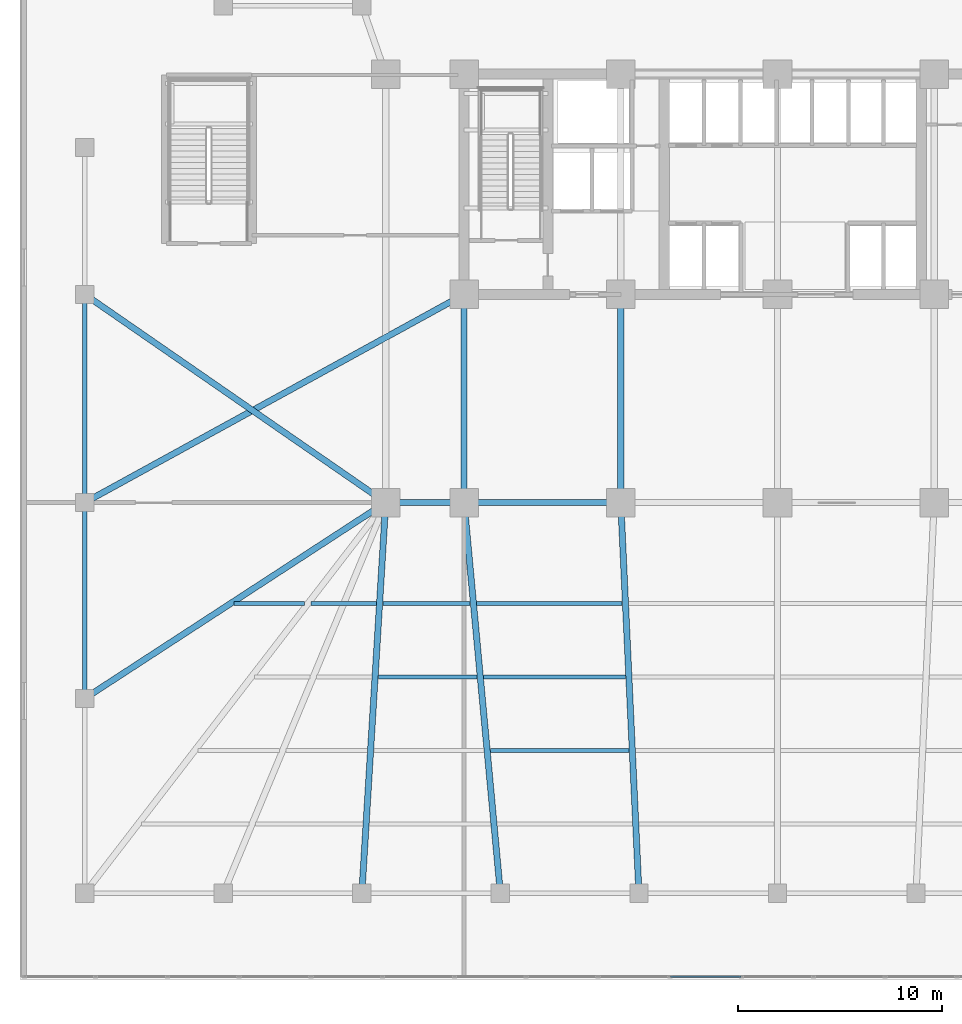
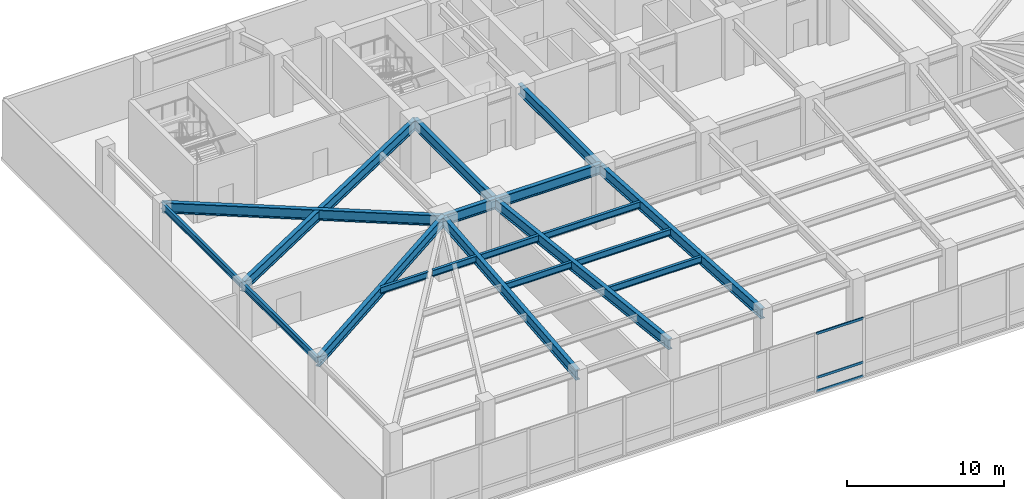
# One storey, part 5 of 19: 19 beams, 3 members, 1 element without a shape of its own.
"""IFC4 building model written with IfcOpenShell, lengths in metres."""

from ifc_helpers import new_model, si_unit, direction, frame, origin, origin_2d, place, context, subcontext, project, spatial, hollow_rectangle, i_section, extrude, material, material_profile, profile_set, type_object, element, aggregate, save


model = new_model("IFC4")

# Units and contexts
model_context = context("Model", 3, precision=1e-05, world=origin(), true_north=direction((0.0, 1.0)))
body_context = subcontext(model_context, "Body", "Model", "MODEL_VIEW")
ifc_project = project(units=[si_unit("LENGTHUNIT", "METRE"), si_unit("AREAUNIT", "SQUARE_METRE"), si_unit("VOLUMEUNIT", "CUBIC_METRE"), si_unit("PLANEANGLEUNIT", "RADIAN"), si_unit("MASSUNIT", "GRAM", prefix="KILO")], contexts=[model_context])

# Site, building, storey
site_placement = place(None, origin())
site = spatial("IfcSite", under=ifc_project, at=site_placement, CompositionType="ELEMENT")
building_placement = place(site_placement, origin())
building = spatial("IfcBuilding", under=site, at=building_placement, Name="Yelkora Congress Tower", CompositionType="ELEMENT")
storey_placement = place(building_placement, frame((0.0, 0.0, 15.60009765625)))
storey = spatial("IfcBuildingStorey", under=building, at=storey_placement, Name="L03", CompositionType="ELEMENT", Elevation=15.60009765625)

# Beams
ifc_material_1 = material(Name="Steel S460M", Category="steel")
ifc_material_profile_1 = material_profile(ifc_material_1, i_section(OverallWidth=0.302978515625, OverallDepth=0.81396484375, WebThickness=0.02099609375, FlangeThickness=0.0400390625, FilletRadius=0.030029296875, at=origin_2d()), Name="HEM 800")
ifc_profile_set_1 = profile_set([ifc_material_profile_1], Name="Steel S460M")
beam_type_1 = type_object("IfcBeamType", Name="BM-HALL-HEM800", PredefinedType="BEAM", material=ifc_profile_set_1)
beam_1_placement = place(storey_placement, frame((19.199951171875, 25.199951171875, 4.1328125), z_axis=(1.0, 0.0, 0.0), x_axis=(0.0, 1.0, 0.0)))
element("IfcBeam", 1, at=beam_1_placement, inside=storey, type_object=beam_type_1, Name="L03 Spine Grid D Girder 1", PredefinedType="BEAM", context=body_context, shape_type="SweptSolid", body=[
    extrude(i_section(OverallWidth=0.302978515625, OverallDepth=0.81396484375, WebThickness=0.02099609375, FlangeThickness=0.0400390625, FilletRadius=0.030029296875, at=origin_2d()), origin(), (0.0, 0.0, 1.0), 3.840087890625),
])
beam_2_placement = place(storey_placement, frame((23.0400390625, 25.199951171875, 4.1328125), z_axis=(1.0, 0.0, 0.0), x_axis=(0.0, 1.0, 0.0)))
element("IfcBeam", 2, at=beam_2_placement, inside=storey, type_object=beam_type_1, Name="L03 Spine Grid D Girder 2", PredefinedType="BEAM", context=body_context, shape_type="SweptSolid", body=[
    extrude(i_section(OverallWidth=0.302978515625, OverallDepth=0.81396484375, WebThickness=0.02099609375, FlangeThickness=0.0400390625, FilletRadius=0.030029296875, at=origin_2d()), origin(), (0.0, 0.0, 1.0), 7.679931640625),
])
for number, where, z_axis, x_axis, name in (
    (3, (23.0400390625, 25.199951171875, 4.1328125), (0.0, 1.0, 0.0), (-1.0, 0.0, 0.0), "L03 Core Tie Girder MC-D1"),
    (4, (30.719970703125, 25.199951171875, 4.1328125), (0.0, 1.0, 0.0), (-1.0, 0.0, 0.0), "L03 Core Tie Girder MC-D2"),
):
    element("IfcBeam", number, at=place(storey_placement, frame(where, z_axis=z_axis, x_axis=x_axis)), inside=storey, type_object=beam_type_1, Name=name, PredefinedType="BEAM", context=body_context, shape_type="SweptSolid", body=[
        extrude(i_section(OverallWidth=0.302978515625, OverallDepth=0.81396484375, WebThickness=0.02099609375, FlangeThickness=0.0400390625, FilletRadius=0.030029296875, at=origin_2d()), origin(), (0.0, 0.0, 1.0), 10.199951171875),
    ])
beam_3_placement = place(storey_placement, frame((18.030029296875, 6.050048828125, 4.1328125), z_axis=(0.060979146345, 0.99813904027, 0.0), x_axis=(-0.99813904027, 0.060979146345, 0.0)))
element("IfcBeam", 5, at=beam_3_placement, inside=storey, type_object=beam_type_1, Name="L03 Primary Frame Girder PS03", PredefinedType="BEAM", context=body_context, shape_type="SweptSolid", body=[
    extrude(i_section(OverallWidth=0.302978515625, OverallDepth=0.81396484375, WebThickness=0.02099609375, FlangeThickness=0.0400390625, FilletRadius=0.030029296875, at=origin_2d()), origin(), (0.0, 0.0, 1.0), 19.185546875),
])
beam_4_placement = place(storey_placement, frame((24.820068359375, 6.050048828125, 4.1328125), z_axis=(-0.092553417869, 0.995707720589, 0.0), x_axis=(-0.995707720589, -0.092553417869, 0.0)))
element("IfcBeam", 6, at=beam_4_placement, inside=storey, type_object=beam_type_1, Name="L03 Primary Frame Girder PS04", PredefinedType="BEAM", context=body_context, shape_type="SweptSolid", body=[
    extrude(i_section(OverallWidth=0.302978515625, OverallDepth=0.81396484375, WebThickness=0.02099609375, FlangeThickness=0.0400390625, FilletRadius=0.030029296875, at=origin_2d()), origin(), (0.0, 0.0, 1.0), 19.232421875),
])
beam_5_placement = place(storey_placement, frame((31.610107421875, 6.050048828125, 4.1328125), z_axis=(-0.046432437641, 0.998921432714, 0.0), x_axis=(-0.998921432714, -0.046432437641, 0.0)))
element("IfcBeam", 7, at=beam_5_placement, inside=storey, type_object=beam_type_1, Name="L03 Primary Frame Girder PS05", PredefinedType="BEAM", context=body_context, shape_type="SweptSolid", body=[
    extrude(i_section(OverallWidth=0.302978515625, OverallDepth=0.81396484375, WebThickness=0.02099609375, FlangeThickness=0.0400390625, FilletRadius=0.030029296875, at=origin_2d()), origin(), (0.0, 0.0, 1.0), 19.170654296875),
])
beam_6_placement = place(storey_placement, frame((4.449951171875, 15.60009765625, 4.1328125), z_axis=(0.83812272066, 0.545481718404, 0.0), x_axis=(-0.545481718404, 0.83812272066, 0.0)))
element("IfcBeam", 8, at=beam_6_placement, inside=storey, type_object=beam_type_1, Name="L03 Primary Frame Girder PW1", PredefinedType="BEAM", context=body_context, shape_type="SweptSolid", body=[
    extrude(i_section(OverallWidth=0.302978515625, OverallDepth=0.81396484375, WebThickness=0.02099609375, FlangeThickness=0.0400390625, FilletRadius=0.030029296875, at=origin_2d()), origin(), (0.0, 0.0, 1.0), 17.598876953125),
])
beam_7_placement = place(storey_placement, frame((4.449951171875, 25.199951171875, 4.1328125), z_axis=(0.876705282536, 0.48102790727, 0.0), x_axis=(-0.48102790727, 0.876705282536, 0.0)))
element("IfcBeam", 9, at=beam_7_placement, inside=storey, type_object=beam_type_1, Name="L03 Primary Frame Girder PW2", PredefinedType="BEAM", context=body_context, shape_type="SweptSolid", body=[
    extrude(i_section(OverallWidth=0.302978515625, OverallDepth=0.81396484375, WebThickness=0.02099609375, FlangeThickness=0.0400390625, FilletRadius=0.030029296875, at=origin_2d()), origin(), (0.0, 0.0, 1.0), 21.20458984375),
])
beam_8_placement = place(storey_placement, frame((4.449951171875, 35.39990234375, 4.1328125), z_axis=(0.822494466498, -0.568773111689, 0.0), x_axis=(0.568773111689, 0.822494466498, 0.0)))
element("IfcBeam", 10, at=beam_8_placement, inside=storey, type_object=beam_type_1, Name="L03 Primary Frame Girder PW3", PredefinedType="BEAM", context=body_context, shape_type="SweptSolid", body=[
    extrude(i_section(OverallWidth=0.302978515625, OverallDepth=0.81396484375, WebThickness=0.02099609375, FlangeThickness=0.0400390625, FilletRadius=0.030029296875, at=origin_2d()), origin(), (0.0, 0.0, 1.0), 17.933349609375),
])
ifc_material_2 = material(Name="Steel S355J2", Category="steel")
ifc_material_profile_2 = material_profile(ifc_material_2, i_section(OverallWidth=0.199951171875, OverallDepth=0.5, WebThickness=0.01025390625, FlangeThickness=0.01611328125, FilletRadius=0.02099609375, at=origin_2d()), Name="IPE 500")
ifc_profile_set_2 = profile_set([ifc_material_profile_2], Name="Steel S355J2")
beam_type_2 = type_object("IfcBeamType", Name="BM-JOIST-IPE500", PredefinedType="JOIST", material=ifc_profile_set_2)
beam_9_placement = place(storey_placement, frame((24.329345703125, 13.050048828125, 4.289794921875), z_axis=(1.0, 0.0, 0.0), x_axis=(0.0, 1.0, 0.0)))
element("IfcBeam", 11, at=beam_9_placement, inside=storey, type_object=beam_type_2, Name="L03 Composite Floor Joist 14", PredefinedType="JOIST", context=body_context, shape_type="SweptSolid", body=[
    extrude(i_section(OverallWidth=0.199951171875, OverallDepth=0.5, WebThickness=0.01025390625, FlangeThickness=0.01611328125, FilletRadius=0.02099609375, at=origin_2d()), origin(), (0.0, 0.0, 1.0), 6.79541015625),
])
beam_10_placement = place(storey_placement, frame((18.837646484375, 16.64990234375, 4.289794921875), z_axis=(1.0, 0.0, 0.0), x_axis=(0.0, 1.0, 0.0)))
element("IfcBeam", 12, at=beam_10_placement, inside=storey, type_object=beam_type_2, Name="L03 Composite Floor Joist 23", PredefinedType="JOIST", context=body_context, shape_type="SweptSolid", body=[
    extrude(i_section(OverallWidth=0.199951171875, OverallDepth=0.5, WebThickness=0.01025390625, FlangeThickness=0.01611328125, FilletRadius=0.02099609375, at=origin_2d()), origin(), (0.0, 0.0, 1.0), 4.837158203125),
])
beam_11_placement = place(storey_placement, frame((23.99462890625, 16.64990234375, 4.289794921875), z_axis=(1.0, 0.0, 0.0), x_axis=(0.0, 1.0, 0.0)))
element("IfcBeam", 13, at=beam_11_placement, inside=storey, type_object=beam_type_2, Name="L03 Composite Floor Joist 24", PredefinedType="JOIST", context=body_context, shape_type="SweptSolid", body=[
    extrude(i_section(OverallWidth=0.199951171875, OverallDepth=0.5, WebThickness=0.01025390625, FlangeThickness=0.01611328125, FilletRadius=0.02099609375, at=origin_2d()), origin(), (0.0, 0.0, 1.0), 6.962890625),
])
beam_12_placement = place(storey_placement, frame((11.75439453125, 20.25, 4.289794921875), z_axis=(1.0, 0.0, 0.0), x_axis=(0.0, 1.0, 0.0)))
element("IfcBeam", 14, at=beam_12_placement, inside=storey, type_object=beam_type_2, Name="L03 Composite Floor Joist 32", PredefinedType="JOIST", context=body_context, shape_type="SweptSolid", body=[
    extrude(i_section(OverallWidth=0.199951171875, OverallDepth=0.5, WebThickness=0.01025390625, FlangeThickness=0.01611328125, FilletRadius=0.02099609375, at=origin_2d()), origin(), (0.0, 0.0, 1.0), 3.472900390625),
])
beam_13_placement = place(storey_placement, frame((15.54736328125, 20.25, 4.289794921875), z_axis=(1.0, 0.0, 0.0), x_axis=(0.0, 1.0, 0.0)))
element("IfcBeam", 15, at=beam_13_placement, inside=storey, type_object=beam_type_2, Name="L03 Composite Floor Joist 33", PredefinedType="JOIST", context=body_context, shape_type="SweptSolid", body=[
    extrude(i_section(OverallWidth=0.199951171875, OverallDepth=0.5, WebThickness=0.01025390625, FlangeThickness=0.01611328125, FilletRadius=0.02099609375, at=origin_2d()), origin(), (0.0, 0.0, 1.0), 3.190185546875),
])
beam_14_placement = place(storey_placement, frame((19.0576171875, 20.25, 4.289794921875), z_axis=(1.0, 0.0, 0.0), x_axis=(0.0, 1.0, 0.0)))
element("IfcBeam", 16, at=beam_14_placement, inside=storey, type_object=beam_type_2, Name="L03 Composite Floor Joist 34", PredefinedType="JOIST", context=body_context, shape_type="SweptSolid", body=[
    extrude(i_section(OverallWidth=0.199951171875, OverallDepth=0.5, WebThickness=0.01025390625, FlangeThickness=0.01611328125, FilletRadius=0.02099609375, at=origin_2d()), origin(), (0.0, 0.0, 1.0), 4.282470703125),
])
beam_15_placement = place(storey_placement, frame((23.66015625, 20.25, 4.289794921875), z_axis=(1.0, 0.0, 0.0), x_axis=(0.0, 1.0, 0.0)))
element("IfcBeam", 17, at=beam_15_placement, inside=storey, type_object=beam_type_2, Name="L03 Composite Floor Joist 35", PredefinedType="JOIST", context=body_context, shape_type="SweptSolid", body=[
    extrude(i_section(OverallWidth=0.199951171875, OverallDepth=0.5, WebThickness=0.01025390625, FlangeThickness=0.01611328125, FilletRadius=0.02099609375, at=origin_2d()), origin(), (0.0, 0.0, 1.0), 7.1298828125),
])
ifc_material_profile_3 = material_profile(ifc_material_2, i_section(OverallWidth=0.199951171875, OverallDepth=0.5, WebThickness=0.01025390625, FlangeThickness=0.01611328125, FilletRadius=0.02099609375, at=origin_2d()), Name="IPE 500")
ifc_profile_set_3 = profile_set([ifc_material_profile_3], Name="Steel S355J2")
beam_type_3 = type_object("IfcBeamType", Name="BM-SPAN-IPE500B", PredefinedType="BEAM", material=ifc_profile_set_3)
beam_16_placement = place(storey_placement, frame((4.449951171875, 35.39990234375, 4.289794921875), z_axis=(0.0, -1.0, 0.0), x_axis=(1.0, 0.0, 0.0)))
element("IfcBeam", 18, at=beam_16_placement, inside=storey, type_object=beam_type_3, Name="L03 Perimeter Beam 23", PredefinedType="BEAM", context=body_context, shape_type="SweptSolid", body=[
    extrude(i_section(OverallWidth=0.199951171875, OverallDepth=0.5, WebThickness=0.01025390625, FlangeThickness=0.01611328125, FilletRadius=0.02099609375, at=origin_2d()), origin(), (0.0, 0.0, 1.0), 10.199951171875),
])
beam_17_placement = place(storey_placement, frame((4.449951171875, 25.199951171875, 4.289794921875), z_axis=(0.0, -1.0, 0.0), x_axis=(1.0, 0.0, 0.0)))
element("IfcBeam", 19, at=beam_17_placement, inside=storey, type_object=beam_type_3, Name="L03 Perimeter Beam 24", PredefinedType="BEAM", context=body_context, shape_type="SweptSolid", body=[
    extrude(i_section(OverallWidth=0.199951171875, OverallDepth=0.5, WebThickness=0.01025390625, FlangeThickness=0.01611328125, FilletRadius=0.02099609375, at=origin_2d()), origin(), (0.0, 0.0, 1.0), 9.599853515625),
])

# Curtain wall, members
ifc_material_3 = material(Name="Anodised aluminium and insulated glass", Category="aluminium")
curtain_wall_type = type_object("IfcCurtainWallType", Name="CW-SYS-POD", PredefinedType="NOTDEFINED", material=ifc_material_3)
curtain_wall_placement = place(storey_placement, origin())
curtain_wall = element("IfcCurtainWall", 20, at=curtain_wall_placement, inside=storey, type_object=curtain_wall_type, Name="L03 Podium South Curtain Wall", PredefinedType="NOTDEFINED")
ifc_material_4 = material(Name="Anodised aluminium 6063-T6", Category="aluminium")
ifc_material_profile_4 = material_profile(ifc_material_4, hollow_rectangle(XDim=0.070068359375, YDim=0.18994140625, WallThickness=0.00390625, at=origin_2d()), Name="ALU 70x190x4")
ifc_profile_set_4 = profile_set([ifc_material_profile_4], Name="Anodised aluminium 6063-T6")
member_type = type_object("IfcMemberType", Name="MEM-TR-POD", PredefinedType="USERDEFINED", material=ifc_profile_set_4)
member_1_placement = place(storey_placement, frame((36.603515625, 1.9599609375, 0.034912109375), z_axis=(-1.0, 0.0, 0.0), x_axis=(0.0, -1.0, 0.0)))
member_1 = element("IfcMember", 21, at=member_1_placement, type_object=member_type, Name="CW-POD transom 12.1", ObjectType="TRANSOM", PredefinedType="USERDEFINED", context=body_context, shape_type="SweptSolid", body=[
    extrude(hollow_rectangle(XDim=0.070068359375, YDim=0.18994140625, WallThickness=0.00390625, at=origin_2d()), origin(), (0.0, 0.0, 1.0), 3.443115234375),
])
member_2_placement = place(storey_placement, frame((36.603515625, 1.9599609375, 1.099853515625), z_axis=(-1.0, 0.0, 0.0), x_axis=(0.0, -1.0, 0.0)))
member_2 = element("IfcMember", 22, at=member_2_placement, type_object=member_type, Name="CW-POD transom 12.2", ObjectType="TRANSOM", PredefinedType="USERDEFINED", context=body_context, shape_type="SweptSolid", body=[
    extrude(hollow_rectangle(XDim=0.070068359375, YDim=0.18994140625, WallThickness=0.00390625, at=origin_2d()), origin(), (0.0, 0.0, 1.0), 3.443115234375),
])
member_3_placement = place(storey_placement, frame((36.603515625, 1.9599609375, 4.5048828125), z_axis=(-1.0, 0.0, 0.0), x_axis=(0.0, -1.0, 0.0)))
member_3 = element("IfcMember", 23, at=member_3_placement, type_object=member_type, Name="CW-POD transom 12.3", ObjectType="TRANSOM", PredefinedType="USERDEFINED", context=body_context, shape_type="SweptSolid", body=[
    extrude(hollow_rectangle(XDim=0.070068359375, YDim=0.18994140625, WallThickness=0.00390625, at=origin_2d()), origin(), (0.0, 0.0, 1.0), 3.443115234375),
])
aggregate(curtain_wall, [member_1, member_2, member_3])

save(model, "model.ifc")
